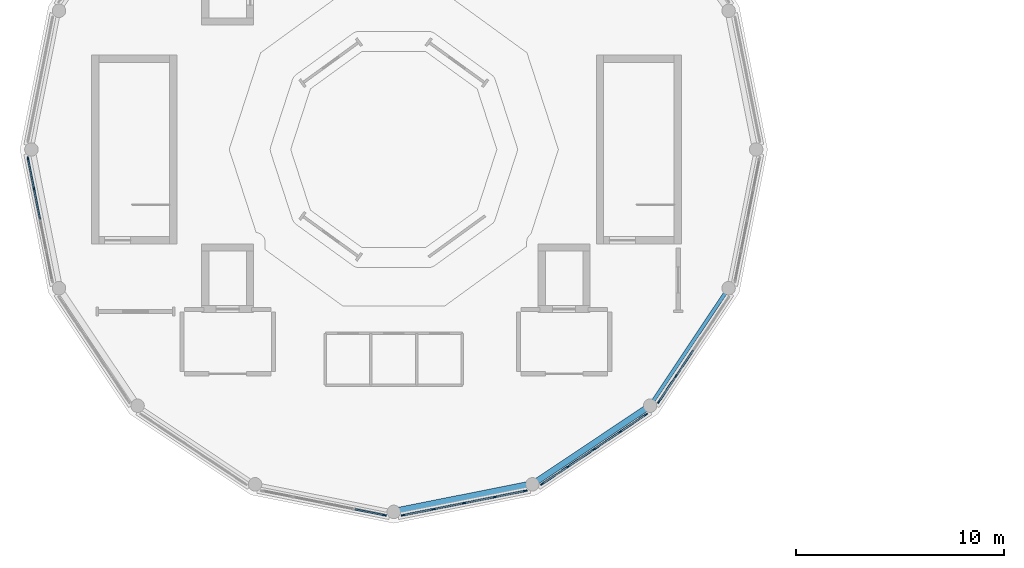
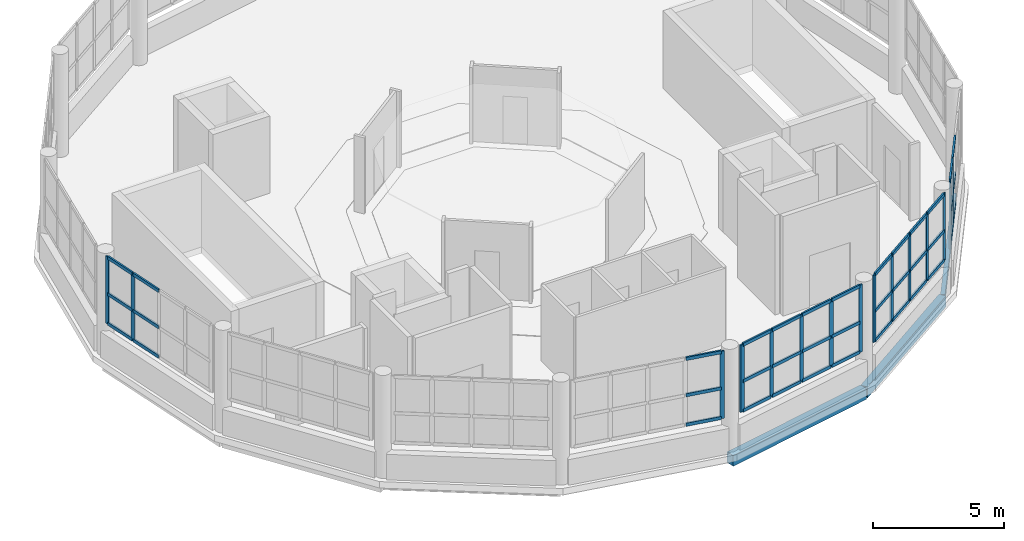
# One storey, part 3 of 12: 54 members, 3 beams, 5 elements without a shape of their own.
"""IFC4 building model written with IfcOpenShell, lengths in metres."""

from ifc_helpers import new_model, si_unit, direction, frame, origin, origin_2d, place, context, subcontext, project, spatial, rectangle, i_section, extrude, material, material_profile, profile_set, type_object, element, aggregate, save


model = new_model("IFC4")

# Units and contexts
model_context = context("Model", 3, precision=1e-05, world=origin(), true_north=direction((0.0, 1.0)))
body_context = subcontext(model_context, "Body", "Model", "MODEL_VIEW")
ifc_project = project(units=[si_unit("LENGTHUNIT", "METRE"), si_unit("AREAUNIT", "SQUARE_METRE"), si_unit("VOLUMEUNIT", "CUBIC_METRE"), si_unit("PLANEANGLEUNIT", "RADIAN"), si_unit("MASSUNIT", "GRAM", prefix="KILO")], contexts=[model_context])

# Site, building, storey
site_placement = place(None, origin())
site = spatial("IfcSite", under=ifc_project, at=site_placement, CompositionType="ELEMENT")
building_placement = place(site_placement, origin())
building = spatial("IfcBuilding", under=site, at=building_placement, Name="Soyqirgoq Riverine Aquarium", CompositionType="ELEMENT")
storey_placement = place(building_placement, frame((0.0, 0.0, 24.60009765625)))
storey = spatial("IfcBuildingStorey", under=building, at=storey_placement, Name="L06", CompositionType="ELEMENT", Elevation=24.60009765625)

# Curtain wall, members
ifc_material_1 = material(Name="Anodised aluminium acoustic solar-control clerestory glazing", Category="aluminium")
curtain_wall_type = type_object("IfcCurtainWallType", Name="CW_Clerestory_Ring", PredefinedType="NOTDEFINED", material=ifc_material_1)
curtain_wall_1_placement = place(storey_placement, origin())
curtain_wall_1 = element("IfcCurtainWall", 1, at=curtain_wall_1_placement, inside=storey, type_object=curtain_wall_type, Name="V1 L06 Curtain Wall 032", PredefinedType="NOTDEFINED")
ifc_material_2 = material(Name="Anodised aluminium 6063-T6", Category="aluminium")
ifc_material_profile_1 = material_profile(ifc_material_2, rectangle(XDim=0.06494140625, YDim=0.179931640625, at=origin_2d()), Name="ALU-M 65x180")
ifc_profile_set_1 = profile_set([ifc_material_profile_1], Name="Anodised aluminium 6063-T6")
member_type_1 = type_object("IfcMemberType", Name="CWMullion_65x180", PredefinedType="MULLION", material=ifc_profile_set_1)
member_1_placement = place(storey_placement, frame((38.38818359375, 56.55615234375, 1.619873046875), z_axis=(0.0, 0.0, 1.0), x_axis=(0.980784299821, 0.19509525167, 0.0)))
member_1 = element("IfcMember", 2, at=member_1_placement, type_object=member_type_1, Name="CW-02 mullion 1", PredefinedType="MULLION", context=body_context, shape_type="SweptSolid", body=[
    extrude(rectangle(XDim=0.06494140625, YDim=0.179931640625, at=origin_2d()), origin(), (0.0, 0.0, 1.0), 3.14013671875),
])
member_2_placement = place(storey_placement, frame((38.677734375, 55.1005859375, 1.619873046875), z_axis=(0.0, 0.0, 1.0), x_axis=(0.980784299821, 0.19509525167, 0.0)))
member_2 = element("IfcMember", 3, at=member_2_placement, type_object=member_type_1, Name="CW-02 mullion 2", PredefinedType="MULLION", context=body_context, shape_type="SweptSolid", body=[
    extrude(rectangle(XDim=0.06494140625, YDim=0.179931640625, at=origin_2d()), origin(), (0.0, 0.0, 1.0), 3.14013671875),
])

# Curtain wall, member
curtain_wall_2_placement = place(storey_placement, origin())
curtain_wall_2 = element("IfcCurtainWall", 4, at=curtain_wall_2_placement, inside=storey, type_object=curtain_wall_type, Name="V1 L06 Curtain Wall 053", PredefinedType="NOTDEFINED")
member_3_placement = place(storey_placement, frame((55.55615234375, 39.38818359375, 1.619873046875), z_axis=(0.0, 0.0, 1.0), x_axis=(0.19509525167, 0.980784299821, 0.0)))
member_3 = element("IfcMember", 5, at=member_3_placement, type_object=member_type_1, Name="CW-02 mullion 5", PredefinedType="MULLION", context=body_context, shape_type="SweptSolid", body=[
    extrude(rectangle(XDim=0.06494140625, YDim=0.179931640625, at=origin_2d()), origin(), (0.0, 0.0, 1.0), 3.14013671875),
])

# Curtain wall, members
curtain_wall_3_placement = place(storey_placement, origin())
curtain_wall_3 = element("IfcCurtainWall", 6, at=curtain_wall_3_placement, inside=storey, type_object=curtain_wall_type, Name="V1 L06 Curtain Wall 060", PredefinedType="NOTDEFINED")
member_4_placement = place(storey_placement, frame((56.44384765625, 39.38818359375, 1.619873046875), z_axis=(0.0, 0.0, 1.0), x_axis=(-0.19509525167, 0.980784299821, 0.0)))
member_4 = element("IfcMember", 7, at=member_4_placement, type_object=member_type_1, Name="CW-02 mullion 1", PredefinedType="MULLION", context=body_context, shape_type="SweptSolid", body=[
    extrude(rectangle(XDim=0.06494140625, YDim=0.179931640625, at=origin_2d()), origin(), (0.0, 0.0, 1.0), 3.14013671875),
])
member_5_placement = place(storey_placement, frame((57.8994140625, 39.677734375, 1.619873046875), z_axis=(0.0, 0.0, 1.0), x_axis=(-0.19509525167, 0.980784299821, 0.0)))
member_5 = element("IfcMember", 8, at=member_5_placement, type_object=member_type_1, Name="CW-02 mullion 2", PredefinedType="MULLION", context=body_context, shape_type="SweptSolid", body=[
    extrude(rectangle(XDim=0.06494140625, YDim=0.179931640625, at=origin_2d()), origin(), (0.0, 0.0, 1.0), 3.14013671875),
])
member_6_placement = place(storey_placement, frame((59.38671875, 39.9736328125, 1.619873046875), z_axis=(0.0, 0.0, 1.0), x_axis=(-0.19509525167, 0.980784299821, 0.0)))
member_6 = element("IfcMember", 9, at=member_6_placement, type_object=member_type_1, Name="CW-02 mullion 3", PredefinedType="MULLION", context=body_context, shape_type="SweptSolid", body=[
    extrude(rectangle(XDim=0.06494140625, YDim=0.179931640625, at=origin_2d()), origin(), (0.0, 0.0, 1.0), 3.14013671875),
])
member_7_placement = place(storey_placement, frame((60.874267578125, 40.26953125, 1.619873046875), z_axis=(0.0, 0.0, 1.0), x_axis=(-0.19509525167, 0.980784299821, 0.0)))
member_7 = element("IfcMember", 10, at=member_7_placement, type_object=member_type_1, Name="CW-02 mullion 4", PredefinedType="MULLION", context=body_context, shape_type="SweptSolid", body=[
    extrude(rectangle(XDim=0.06494140625, YDim=0.179931640625, at=origin_2d()), origin(), (0.0, 0.0, 1.0), 3.14013671875),
])
member_8_placement = place(storey_placement, frame((62.329833984375, 40.55908203125, 1.619873046875), z_axis=(0.0, 0.0, 1.0), x_axis=(-0.19509525167, 0.980784299821, 0.0)))
member_8 = element("IfcMember", 11, at=member_8_placement, type_object=member_type_1, Name="CW-02 mullion 5", PredefinedType="MULLION", context=body_context, shape_type="SweptSolid", body=[
    extrude(rectangle(XDim=0.06494140625, YDim=0.179931640625, at=origin_2d()), origin(), (0.0, 0.0, 1.0), 3.14013671875),
])

curtain_wall_4_placement = place(storey_placement, origin())
curtain_wall_4 = element("IfcCurtainWall", 12, at=curtain_wall_4_placement, inside=storey, type_object=curtain_wall_type, Name="V1 L06 Curtain Wall 065", PredefinedType="NOTDEFINED")
member_9_placement = place(storey_placement, frame((63.149658203125, 40.898681640625, 1.619873046875), z_axis=(0.0, 0.0, 1.0), x_axis=(-0.555578639957, 0.831463994905, 0.0)))
member_9 = element("IfcMember", 13, at=member_9_placement, type_object=member_type_1, Name="CW-02 mullion 1", PredefinedType="MULLION", context=body_context, shape_type="SweptSolid", body=[
    extrude(rectangle(XDim=0.06494140625, YDim=0.179931640625, at=origin_2d()), origin(), (0.0, 0.0, 1.0), 3.14013671875),
])
member_10_placement = place(storey_placement, frame((64.3837890625, 41.72314453125, 1.619873046875), z_axis=(0.0, 0.0, 1.0), x_axis=(-0.555578639957, 0.831463994905, 0.0)))
member_10 = element("IfcMember", 14, at=member_10_placement, type_object=member_type_1, Name="CW-02 mullion 2", PredefinedType="MULLION", context=body_context, shape_type="SweptSolid", body=[
    extrude(rectangle(XDim=0.06494140625, YDim=0.179931640625, at=origin_2d()), origin(), (0.0, 0.0, 1.0), 3.14013671875),
])
member_11_placement = place(storey_placement, frame((65.64453125, 42.565673828125, 1.619873046875), z_axis=(0.0, 0.0, 1.0), x_axis=(-0.555578639957, 0.831463994905, 0.0)))
member_11 = element("IfcMember", 15, at=member_11_placement, type_object=member_type_1, Name="CW-02 mullion 3", PredefinedType="MULLION", context=body_context, shape_type="SweptSolid", body=[
    extrude(rectangle(XDim=0.06494140625, YDim=0.179931640625, at=origin_2d()), origin(), (0.0, 0.0, 1.0), 3.14013671875),
])
member_12_placement = place(storey_placement, frame((66.905517578125, 43.408203125, 1.619873046875), z_axis=(0.0, 0.0, 1.0), x_axis=(-0.555578639957, 0.831463994905, 0.0)))
member_12 = element("IfcMember", 16, at=member_12_placement, type_object=member_type_1, Name="CW-02 mullion 4", PredefinedType="MULLION", context=body_context, shape_type="SweptSolid", body=[
    extrude(rectangle(XDim=0.06494140625, YDim=0.179931640625, at=origin_2d()), origin(), (0.0, 0.0, 1.0), 3.14013671875),
])
member_13_placement = place(storey_placement, frame((68.1396484375, 44.23291015625, 1.619873046875), z_axis=(0.0, 0.0, 1.0), x_axis=(-0.555578639957, 0.831463994905, 0.0)))
member_13 = element("IfcMember", 17, at=member_13_placement, type_object=member_type_1, Name="CW-02 mullion 5", PredefinedType="MULLION", context=body_context, shape_type="SweptSolid", body=[
    extrude(rectangle(XDim=0.06494140625, YDim=0.179931640625, at=origin_2d()), origin(), (0.0, 0.0, 1.0), 3.14013671875),
])

curtain_wall_5_placement = place(storey_placement, origin())
curtain_wall_5 = element("IfcCurtainWall", 18, at=curtain_wall_5_placement, inside=storey, type_object=curtain_wall_type, Name="V1 L06 Curtain Wall 070", PredefinedType="NOTDEFINED")
member_14_placement = place(storey_placement, frame((68.76708984375, 44.8603515625, 1.619873046875), z_axis=(0.0, 0.0, 1.0), x_axis=(-0.831463994905, 0.555578639957, 0.0)))
member_14 = element("IfcMember", 19, at=member_14_placement, type_object=member_type_1, Name="CW-02 mullion 1", PredefinedType="MULLION", context=body_context, shape_type="SweptSolid", body=[
    extrude(rectangle(XDim=0.06494140625, YDim=0.179931640625, at=origin_2d()), origin(), (0.0, 0.0, 1.0), 3.14013671875),
])
member_15_placement = place(storey_placement, frame((69.591796875, 46.094482421875, 1.619873046875), z_axis=(0.0, 0.0, 1.0), x_axis=(-0.831463994905, 0.555578639957, 0.0)))
member_15 = element("IfcMember", 20, at=member_15_placement, type_object=member_type_1, Name="CW-02 mullion 2", PredefinedType="MULLION", context=body_context, shape_type="SweptSolid", body=[
    extrude(rectangle(XDim=0.06494140625, YDim=0.179931640625, at=origin_2d()), origin(), (0.0, 0.0, 1.0), 3.14013671875),
])

# Member
ifc_material_3 = material(Name="Anodised aluminium 6063-T6", Category="aluminium")
ifc_material_profile_2 = material_profile(ifc_material_3, rectangle(XDim=0.074951171875, YDim=0.14990234375, at=origin_2d()), Name="ALU-T 75x150")
ifc_profile_set_2 = profile_set([ifc_material_profile_2], Name="Anodised aluminium 6063-T6")
member_type_2 = type_object("IfcMemberType", Name="CWTransom_75x150", PredefinedType="USERDEFINED", material=ifc_profile_set_2)
member_16_placement = place(storey_placement, frame((38.39453125, 56.5244140625, 1.657470703125), z_axis=(0.195090420246, -0.980785260864, 0.0), x_axis=(0.980785260864, 0.195090420246, 0.0)))
member_16 = element("IfcMember", 21, at=member_16_placement, type_object=member_type_2, Name="CW-02 transom 1.1", ObjectType="TRANSOM", PredefinedType="USERDEFINED", context=body_context, shape_type="SweptSolid", body=[
    extrude(rectangle(XDim=0.074951171875, YDim=0.14990234375, at=origin_2d()), origin(), (0.0, 0.0, 1.0), 1.419189453125),
])

member_17_placement = place(storey_placement, frame((38.39453125, 56.5244140625, 3.032958984375), z_axis=(0.195090420246, -0.980785260864, 0.0), x_axis=(0.980785260864, 0.195090420246, 0.0)))
member_17 = element("IfcMember", 22, at=member_17_placement, type_object=member_type_2, Name="CW-02 transom 1.2", ObjectType="TRANSOM", PredefinedType="USERDEFINED", context=body_context, shape_type="SweptSolid", body=[
    extrude(rectangle(XDim=0.074951171875, YDim=0.14990234375, at=origin_2d()), origin(), (0.0, 0.0, 1.0), 1.419189453125),
])

member_18_placement = place(storey_placement, frame((38.39453125, 56.5244140625, 4.722412109375), z_axis=(0.195090420246, -0.980785260864, 0.0), x_axis=(0.980785260864, 0.195090420246, 0.0)))
member_18 = element("IfcMember", 23, at=member_18_placement, type_object=member_type_2, Name="CW-02 transom 1.3", ObjectType="TRANSOM", PredefinedType="USERDEFINED", context=body_context, shape_type="SweptSolid", body=[
    extrude(rectangle(XDim=0.074951171875, YDim=0.14990234375, at=origin_2d()), origin(), (0.0, 0.0, 1.0), 1.419189453125),
])

member_19_placement = place(storey_placement, frame((38.68408203125, 55.06884765625, 1.657470703125), z_axis=(0.195081112847, -0.980787112176, 0.0), x_axis=(0.980787112176, 0.195081112847, 0.0)))
member_19 = element("IfcMember", 24, at=member_19_placement, type_object=member_type_2, Name="CW-02 transom 2.1", ObjectType="TRANSOM", PredefinedType="USERDEFINED", context=body_context, shape_type="SweptSolid", body=[
    extrude(rectangle(XDim=0.074951171875, YDim=0.14990234375, at=origin_2d()), origin(), (0.0, 0.0, 1.0), 1.45166015625),
])

member_20_placement = place(storey_placement, frame((38.68408203125, 55.06884765625, 3.032958984375), z_axis=(0.195081112847, -0.980787112176, 0.0), x_axis=(0.980787112176, 0.195081112847, 0.0)))
member_20 = element("IfcMember", 25, at=member_20_placement, type_object=member_type_2, Name="CW-02 transom 2.2", ObjectType="TRANSOM", PredefinedType="USERDEFINED", context=body_context, shape_type="SweptSolid", body=[
    extrude(rectangle(XDim=0.074951171875, YDim=0.14990234375, at=origin_2d()), origin(), (0.0, 0.0, 1.0), 1.45166015625),
])

member_21_placement = place(storey_placement, frame((38.68408203125, 55.06884765625, 4.722412109375), z_axis=(0.195081112847, -0.980787112176, 0.0), x_axis=(0.980787112176, 0.195081112847, 0.0)))
member_21 = element("IfcMember", 26, at=member_21_placement, type_object=member_type_2, Name="CW-02 transom 2.3", ObjectType="TRANSOM", PredefinedType="USERDEFINED", context=body_context, shape_type="SweptSolid", body=[
    extrude(rectangle(XDim=0.074951171875, YDim=0.14990234375, at=origin_2d()), origin(), (0.0, 0.0, 1.0), 1.45166015625),
])

aggregate(curtain_wall_1, [member_1, member_2, member_16, member_17, member_18, member_19, member_20, member_21])

member_22_placement = place(storey_placement, frame((54.132568359375, 39.67138671875, 1.657470703125), z_axis=(0.980785260864, -0.195090420246, 0.0), x_axis=(0.195090420246, 0.980785260864, 0.0)))
member_22 = element("IfcMember", 27, at=member_22_placement, type_object=member_type_2, Name="CW-02 transom 4.1", ObjectType="TRANSOM", PredefinedType="USERDEFINED", context=body_context, shape_type="SweptSolid", body=[
    extrude(rectangle(XDim=0.074951171875, YDim=0.14990234375, at=origin_2d()), origin(), (0.0, 0.0, 1.0), 1.419189453125),
])

member_23_placement = place(storey_placement, frame((54.132568359375, 39.67138671875, 3.032958984375), z_axis=(0.980785260864, -0.195090420246, 0.0), x_axis=(0.195090420246, 0.980785260864, 0.0)))
member_23 = element("IfcMember", 28, at=member_23_placement, type_object=member_type_2, Name="CW-02 transom 4.2", ObjectType="TRANSOM", PredefinedType="USERDEFINED", context=body_context, shape_type="SweptSolid", body=[
    extrude(rectangle(XDim=0.074951171875, YDim=0.14990234375, at=origin_2d()), origin(), (0.0, 0.0, 1.0), 1.419189453125),
])

member_24_placement = place(storey_placement, frame((54.132568359375, 39.67138671875, 4.722412109375), z_axis=(0.980785260864, -0.195090420246, 0.0), x_axis=(0.195090420246, 0.980785260864, 0.0)))
member_24 = element("IfcMember", 29, at=member_24_placement, type_object=member_type_2, Name="CW-02 transom 4.3", ObjectType="TRANSOM", PredefinedType="USERDEFINED", context=body_context, shape_type="SweptSolid", body=[
    extrude(rectangle(XDim=0.074951171875, YDim=0.14990234375, at=origin_2d()), origin(), (0.0, 0.0, 1.0), 1.419189453125),
])

aggregate(curtain_wall_2, [member_3, member_22, member_23, member_24])

member_25_placement = place(storey_placement, frame((56.4755859375, 39.39453125, 1.657470703125), z_axis=(0.980785260864, 0.195090420246, 0.0), x_axis=(-0.195090420246, 0.980785260864, 0.0)))
member_25 = element("IfcMember", 30, at=member_25_placement, type_object=member_type_2, Name="CW-02 transom 1.1", ObjectType="TRANSOM", PredefinedType="USERDEFINED", context=body_context, shape_type="SweptSolid", body=[
    extrude(rectangle(XDim=0.074951171875, YDim=0.14990234375, at=origin_2d()), origin(), (0.0, 0.0, 1.0), 1.419189453125),
])

member_26_placement = place(storey_placement, frame((56.4755859375, 39.39453125, 3.032958984375), z_axis=(0.980785260864, 0.195090420246, 0.0), x_axis=(-0.195090420246, 0.980785260864, 0.0)))
member_26 = element("IfcMember", 31, at=member_26_placement, type_object=member_type_2, Name="CW-02 transom 1.2", ObjectType="TRANSOM", PredefinedType="USERDEFINED", context=body_context, shape_type="SweptSolid", body=[
    extrude(rectangle(XDim=0.074951171875, YDim=0.14990234375, at=origin_2d()), origin(), (0.0, 0.0, 1.0), 1.419189453125),
])

member_27_placement = place(storey_placement, frame((56.4755859375, 39.39453125, 4.722412109375), z_axis=(0.980785260864, 0.195090420246, 0.0), x_axis=(-0.195090420246, 0.980785260864, 0.0)))
member_27 = element("IfcMember", 32, at=member_27_placement, type_object=member_type_2, Name="CW-02 transom 1.3", ObjectType="TRANSOM", PredefinedType="USERDEFINED", context=body_context, shape_type="SweptSolid", body=[
    extrude(rectangle(XDim=0.074951171875, YDim=0.14990234375, at=origin_2d()), origin(), (0.0, 0.0, 1.0), 1.419189453125),
])

member_28_placement = place(storey_placement, frame((57.93115234375, 39.68408203125, 1.657470703125), z_axis=(0.980787112176, 0.195081112847, 0.0), x_axis=(-0.195081112847, 0.980787112176, 0.0)))
member_28 = element("IfcMember", 33, at=member_28_placement, type_object=member_type_2, Name="CW-02 transom 2.1", ObjectType="TRANSOM", PredefinedType="USERDEFINED", context=body_context, shape_type="SweptSolid", body=[
    extrude(rectangle(XDim=0.074951171875, YDim=0.14990234375, at=origin_2d()), origin(), (0.0, 0.0, 1.0), 1.45166015625),
])

member_29_placement = place(storey_placement, frame((57.93115234375, 39.68408203125, 3.032958984375), z_axis=(0.980787112176, 0.195081112847, 0.0), x_axis=(-0.195081112847, 0.980787112176, 0.0)))
member_29 = element("IfcMember", 34, at=member_29_placement, type_object=member_type_2, Name="CW-02 transom 2.2", ObjectType="TRANSOM", PredefinedType="USERDEFINED", context=body_context, shape_type="SweptSolid", body=[
    extrude(rectangle(XDim=0.074951171875, YDim=0.14990234375, at=origin_2d()), origin(), (0.0, 0.0, 1.0), 1.45166015625),
])

member_30_placement = place(storey_placement, frame((57.93115234375, 39.68408203125, 4.722412109375), z_axis=(0.980787112176, 0.195081112847, 0.0), x_axis=(-0.195081112847, 0.980787112176, 0.0)))
member_30 = element("IfcMember", 35, at=member_30_placement, type_object=member_type_2, Name="CW-02 transom 2.3", ObjectType="TRANSOM", PredefinedType="USERDEFINED", context=body_context, shape_type="SweptSolid", body=[
    extrude(rectangle(XDim=0.074951171875, YDim=0.14990234375, at=origin_2d()), origin(), (0.0, 0.0, 1.0), 1.45166015625),
])

member_31_placement = place(storey_placement, frame((59.418701171875, 39.97998046875, 1.657470703125), z_axis=(0.980780710478, 0.195113295173, 0.0), x_axis=(-0.195113295173, 0.980780710478, 0.0)))
member_31 = element("IfcMember", 36, at=member_31_placement, type_object=member_type_2, Name="CW-02 transom 3.1", ObjectType="TRANSOM", PredefinedType="USERDEFINED", context=body_context, shape_type="SweptSolid", body=[
    extrude(rectangle(XDim=0.074951171875, YDim=0.14990234375, at=origin_2d()), origin(), (0.0, 0.0, 1.0), 1.451416015625),
])

member_32_placement = place(storey_placement, frame((59.418701171875, 39.97998046875, 3.032958984375), z_axis=(0.980780710478, 0.195113295173, 0.0), x_axis=(-0.195113295173, 0.980780710478, 0.0)))
member_32 = element("IfcMember", 37, at=member_32_placement, type_object=member_type_2, Name="CW-02 transom 3.2", ObjectType="TRANSOM", PredefinedType="USERDEFINED", context=body_context, shape_type="SweptSolid", body=[
    extrude(rectangle(XDim=0.074951171875, YDim=0.14990234375, at=origin_2d()), origin(), (0.0, 0.0, 1.0), 1.451416015625),
])

member_33_placement = place(storey_placement, frame((59.418701171875, 39.97998046875, 4.722412109375), z_axis=(0.980780710478, 0.195113295173, 0.0), x_axis=(-0.195113295173, 0.980780710478, 0.0)))
member_33 = element("IfcMember", 38, at=member_33_placement, type_object=member_type_2, Name="CW-02 transom 3.3", ObjectType="TRANSOM", PredefinedType="USERDEFINED", context=body_context, shape_type="SweptSolid", body=[
    extrude(rectangle(XDim=0.074951171875, YDim=0.14990234375, at=origin_2d()), origin(), (0.0, 0.0, 1.0), 1.451416015625),
])

member_34_placement = place(storey_placement, frame((60.906005859375, 40.27587890625, 1.657470703125), z_axis=(0.980785260864, 0.195090420246, 0.0), x_axis=(-0.195090420246, 0.980785260864, 0.0)))
member_34 = element("IfcMember", 39, at=member_34_placement, type_object=member_type_2, Name="CW-02 transom 4.1", ObjectType="TRANSOM", PredefinedType="USERDEFINED", context=body_context, shape_type="SweptSolid", body=[
    extrude(rectangle(XDim=0.074951171875, YDim=0.14990234375, at=origin_2d()), origin(), (0.0, 0.0, 1.0), 1.419189453125),
])

member_35_placement = place(storey_placement, frame((60.906005859375, 40.27587890625, 3.032958984375), z_axis=(0.980785260864, 0.195090420246, 0.0), x_axis=(-0.195090420246, 0.980785260864, 0.0)))
member_35 = element("IfcMember", 40, at=member_35_placement, type_object=member_type_2, Name="CW-02 transom 4.2", ObjectType="TRANSOM", PredefinedType="USERDEFINED", context=body_context, shape_type="SweptSolid", body=[
    extrude(rectangle(XDim=0.074951171875, YDim=0.14990234375, at=origin_2d()), origin(), (0.0, 0.0, 1.0), 1.419189453125),
])

member_36_placement = place(storey_placement, frame((60.906005859375, 40.27587890625, 4.722412109375), z_axis=(0.980785260864, 0.195090420246, 0.0), x_axis=(-0.195090420246, 0.980785260864, 0.0)))
member_36 = element("IfcMember", 41, at=member_36_placement, type_object=member_type_2, Name="CW-02 transom 4.3", ObjectType="TRANSOM", PredefinedType="USERDEFINED", context=body_context, shape_type="SweptSolid", body=[
    extrude(rectangle(XDim=0.074951171875, YDim=0.14990234375, at=origin_2d()), origin(), (0.0, 0.0, 1.0), 1.419189453125),
])

aggregate(curtain_wall_3, [member_4, member_5, member_6, member_7, member_8, member_25, member_26, member_27, member_28, member_29, member_30, member_31, member_32, member_33, member_34, member_35, member_36])

member_37_placement = place(storey_placement, frame((63.1767578125, 40.916748046875, 1.657470703125), z_axis=(0.831494038542, 0.55553367483, 0.0), x_axis=(-0.55553367483, 0.831494038542, 0.0)))
member_37 = element("IfcMember", 42, at=member_37_placement, type_object=member_type_2, Name="CW-02 transom 1.1", ObjectType="TRANSOM", PredefinedType="USERDEFINED", context=body_context, shape_type="SweptSolid", body=[
    extrude(rectangle(XDim=0.074951171875, YDim=0.14990234375, at=origin_2d()), origin(), (0.0, 0.0, 1.0), 1.4189453125),
])

member_38_placement = place(storey_placement, frame((63.1767578125, 40.916748046875, 3.032958984375), z_axis=(0.831494038542, 0.55553367483, 0.0), x_axis=(-0.55553367483, 0.831494038542, 0.0)))
member_38 = element("IfcMember", 43, at=member_38_placement, type_object=member_type_2, Name="CW-02 transom 1.2", ObjectType="TRANSOM", PredefinedType="USERDEFINED", context=body_context, shape_type="SweptSolid", body=[
    extrude(rectangle(XDim=0.074951171875, YDim=0.14990234375, at=origin_2d()), origin(), (0.0, 0.0, 1.0), 1.4189453125),
])

member_39_placement = place(storey_placement, frame((63.1767578125, 40.916748046875, 4.722412109375), z_axis=(0.831494038542, 0.55553367483, 0.0), x_axis=(-0.55553367483, 0.831494038542, 0.0)))
member_39 = element("IfcMember", 44, at=member_39_placement, type_object=member_type_2, Name="CW-02 transom 1.3", ObjectType="TRANSOM", PredefinedType="USERDEFINED", context=body_context, shape_type="SweptSolid", body=[
    extrude(rectangle(XDim=0.074951171875, YDim=0.14990234375, at=origin_2d()), origin(), (0.0, 0.0, 1.0), 1.4189453125),
])

member_40_placement = place(storey_placement, frame((64.41064453125, 41.7412109375, 1.657470703125), z_axis=(0.831506528289, 0.555514980368, 0.0), x_axis=(-0.555514980368, 0.831506528289, 0.0)))
member_40 = element("IfcMember", 45, at=member_40_placement, type_object=member_type_2, Name="CW-02 transom 2.1", ObjectType="TRANSOM", PredefinedType="USERDEFINED", context=body_context, shape_type="SweptSolid", body=[
    extrude(rectangle(XDim=0.074951171875, YDim=0.14990234375, at=origin_2d()), origin(), (0.0, 0.0, 1.0), 1.45166015625),
])

member_41_placement = place(storey_placement, frame((64.41064453125, 41.7412109375, 3.032958984375), z_axis=(0.831506528289, 0.555514980368, 0.0), x_axis=(-0.555514980368, 0.831506528289, 0.0)))
member_41 = element("IfcMember", 46, at=member_41_placement, type_object=member_type_2, Name="CW-02 transom 2.2", ObjectType="TRANSOM", PredefinedType="USERDEFINED", context=body_context, shape_type="SweptSolid", body=[
    extrude(rectangle(XDim=0.074951171875, YDim=0.14990234375, at=origin_2d()), origin(), (0.0, 0.0, 1.0), 1.45166015625),
])

member_42_placement = place(storey_placement, frame((64.41064453125, 41.7412109375, 4.722412109375), z_axis=(0.831506528289, 0.555514980368, 0.0), x_axis=(-0.555514980368, 0.831506528289, 0.0)))
member_42 = element("IfcMember", 47, at=member_42_placement, type_object=member_type_2, Name="CW-02 transom 2.3", ObjectType="TRANSOM", PredefinedType="USERDEFINED", context=body_context, shape_type="SweptSolid", body=[
    extrude(rectangle(XDim=0.074951171875, YDim=0.14990234375, at=origin_2d()), origin(), (0.0, 0.0, 1.0), 1.45166015625),
])

member_43_placement = place(storey_placement, frame((65.671630859375, 42.583740234375, 1.657470703125), z_axis=(0.831428840366, 0.555631247688, 0.0), x_axis=(-0.555631247688, 0.831428840366, 0.0)))
member_43 = element("IfcMember", 48, at=member_43_placement, type_object=member_type_2, Name="CW-02 transom 3.1", ObjectType="TRANSOM", PredefinedType="USERDEFINED", context=body_context, shape_type="SweptSolid", body=[
    extrude(rectangle(XDim=0.074951171875, YDim=0.14990234375, at=origin_2d()), origin(), (0.0, 0.0, 1.0), 1.45166015625),
])

member_44_placement = place(storey_placement, frame((65.671630859375, 42.583740234375, 3.032958984375), z_axis=(0.831428840366, 0.555631247688, 0.0), x_axis=(-0.555631247688, 0.831428840366, 0.0)))
member_44 = element("IfcMember", 49, at=member_44_placement, type_object=member_type_2, Name="CW-02 transom 3.2", ObjectType="TRANSOM", PredefinedType="USERDEFINED", context=body_context, shape_type="SweptSolid", body=[
    extrude(rectangle(XDim=0.074951171875, YDim=0.14990234375, at=origin_2d()), origin(), (0.0, 0.0, 1.0), 1.45166015625),
])

member_45_placement = place(storey_placement, frame((65.671630859375, 42.583740234375, 4.722412109375), z_axis=(0.831428840366, 0.555631247688, 0.0), x_axis=(-0.555631247688, 0.831428840366, 0.0)))
member_45 = element("IfcMember", 50, at=member_45_placement, type_object=member_type_2, Name="CW-02 transom 3.3", ObjectType="TRANSOM", PredefinedType="USERDEFINED", context=body_context, shape_type="SweptSolid", body=[
    extrude(rectangle(XDim=0.074951171875, YDim=0.14990234375, at=origin_2d()), origin(), (0.0, 0.0, 1.0), 1.45166015625),
])

member_46_placement = place(storey_placement, frame((66.9326171875, 43.42626953125, 1.657470703125), z_axis=(0.831414566046, 0.555652606731, 0.0), x_axis=(-0.555652606731, 0.831414566046, 0.0)))
member_46 = element("IfcMember", 51, at=member_46_placement, type_object=member_type_2, Name="CW-02 transom 4.1", ObjectType="TRANSOM", PredefinedType="USERDEFINED", context=body_context, shape_type="SweptSolid", body=[
    extrude(rectangle(XDim=0.074951171875, YDim=0.14990234375, at=origin_2d()), origin(), (0.0, 0.0, 1.0), 1.419189453125),
])

member_47_placement = place(storey_placement, frame((66.9326171875, 43.42626953125, 3.032958984375), z_axis=(0.831414566046, 0.555652606731, 0.0), x_axis=(-0.555652606731, 0.831414566046, 0.0)))
member_47 = element("IfcMember", 52, at=member_47_placement, type_object=member_type_2, Name="CW-02 transom 4.2", ObjectType="TRANSOM", PredefinedType="USERDEFINED", context=body_context, shape_type="SweptSolid", body=[
    extrude(rectangle(XDim=0.074951171875, YDim=0.14990234375, at=origin_2d()), origin(), (0.0, 0.0, 1.0), 1.419189453125),
])

member_48_placement = place(storey_placement, frame((66.9326171875, 43.42626953125, 4.722412109375), z_axis=(0.831414566046, 0.555652606731, 0.0), x_axis=(-0.555652606731, 0.831414566046, 0.0)))
member_48 = element("IfcMember", 53, at=member_48_placement, type_object=member_type_2, Name="CW-02 transom 4.3", ObjectType="TRANSOM", PredefinedType="USERDEFINED", context=body_context, shape_type="SweptSolid", body=[
    extrude(rectangle(XDim=0.074951171875, YDim=0.14990234375, at=origin_2d()), origin(), (0.0, 0.0, 1.0), 1.419189453125),
])

aggregate(curtain_wall_4, [member_9, member_10, member_11, member_12, member_13, member_37, member_38, member_39, member_40, member_41, member_42, member_43, member_44, member_45, member_46, member_47, member_48])

member_49_placement = place(storey_placement, frame((68.78515625, 44.887451171875, 1.657470703125), z_axis=(0.555652606731, 0.831414566046, 0.0), x_axis=(-0.831414566046, 0.555652606731, 0.0)))
member_49 = element("IfcMember", 54, at=member_49_placement, type_object=member_type_2, Name="CW-02 transom 1.1", ObjectType="TRANSOM", PredefinedType="USERDEFINED", context=body_context, shape_type="SweptSolid", body=[
    extrude(rectangle(XDim=0.074951171875, YDim=0.14990234375, at=origin_2d()), origin(), (0.0, 0.0, 1.0), 1.419189453125),
])

member_50_placement = place(storey_placement, frame((68.78515625, 44.887451171875, 3.032958984375), z_axis=(0.555652606731, 0.831414566046, 0.0), x_axis=(-0.831414566046, 0.555652606731, 0.0)))
member_50 = element("IfcMember", 55, at=member_50_placement, type_object=member_type_2, Name="CW-02 transom 1.2", ObjectType="TRANSOM", PredefinedType="USERDEFINED", context=body_context, shape_type="SweptSolid", body=[
    extrude(rectangle(XDim=0.074951171875, YDim=0.14990234375, at=origin_2d()), origin(), (0.0, 0.0, 1.0), 1.419189453125),
])

member_51_placement = place(storey_placement, frame((68.78515625, 44.887451171875, 4.722412109375), z_axis=(0.555652606731, 0.831414566046, 0.0), x_axis=(-0.831414566046, 0.555652606731, 0.0)))
member_51 = element("IfcMember", 56, at=member_51_placement, type_object=member_type_2, Name="CW-02 transom 1.3", ObjectType="TRANSOM", PredefinedType="USERDEFINED", context=body_context, shape_type="SweptSolid", body=[
    extrude(rectangle(XDim=0.074951171875, YDim=0.14990234375, at=origin_2d()), origin(), (0.0, 0.0, 1.0), 1.419189453125),
])

member_52_placement = place(storey_placement, frame((69.609619140625, 46.121337890625, 1.657470703125), z_axis=(0.555631247688, 0.831428840366, 0.0), x_axis=(-0.831428840366, 0.555631247688, 0.0)))
member_52 = element("IfcMember", 57, at=member_52_placement, type_object=member_type_2, Name="CW-02 transom 2.1", ObjectType="TRANSOM", PredefinedType="USERDEFINED", context=body_context, shape_type="SweptSolid", body=[
    extrude(rectangle(XDim=0.074951171875, YDim=0.14990234375, at=origin_2d()), origin(), (0.0, 0.0, 1.0), 1.45166015625),
])

member_53_placement = place(storey_placement, frame((69.609619140625, 46.121337890625, 3.032958984375), z_axis=(0.555631247688, 0.831428840366, 0.0), x_axis=(-0.831428840366, 0.555631247688, 0.0)))
member_53 = element("IfcMember", 58, at=member_53_placement, type_object=member_type_2, Name="CW-02 transom 2.2", ObjectType="TRANSOM", PredefinedType="USERDEFINED", context=body_context, shape_type="SweptSolid", body=[
    extrude(rectangle(XDim=0.074951171875, YDim=0.14990234375, at=origin_2d()), origin(), (0.0, 0.0, 1.0), 1.45166015625),
])

member_54_placement = place(storey_placement, frame((69.609619140625, 46.121337890625, 4.722412109375), z_axis=(0.555631247688, 0.831428840366, 0.0), x_axis=(-0.831428840366, 0.555631247688, 0.0)))
member_54 = element("IfcMember", 59, at=member_54_placement, type_object=member_type_2, Name="CW-02 transom 2.3", ObjectType="TRANSOM", PredefinedType="USERDEFINED", context=body_context, shape_type="SweptSolid", body=[
    extrude(rectangle(XDim=0.074951171875, YDim=0.14990234375, at=origin_2d()), origin(), (0.0, 0.0, 1.0), 1.45166015625),
])

aggregate(curtain_wall_5, [member_14, member_15, member_49, member_50, member_51, member_52, member_53, member_54])

# Beams
ifc_material_4 = material(Name="Concrete C40/50", Category="concrete")
ifc_material_profile_3 = material_profile(ifc_material_4, rectangle(XDim=0.300048828125, YDim=0.5, at=origin_2d()), Name="RC 300x500")
ifc_profile_set_3 = profile_set([ifc_material_profile_3], Name="Concrete C40/50")
beam_type_1 = type_object("IfcBeamType", Name="Spandrel_RC_300x500", PredefinedType="SPANDREL", material=ifc_profile_set_3)
beam_1_placement = place(storey_placement, frame((62.6943359375, 40.889404296875, -0.550048828125), z_axis=(0.83147831173, 0.555557213186, 0.0), x_axis=(-0.555557213186, 0.83147831173, 0.0)))
element("IfcBeam", 60, at=beam_1_placement, inside=storey, type_object=beam_type_1, Name="V1 L06 Drum Spandrel Beam 0151", PredefinedType="SPANDREL", context=body_context, shape_type="SweptSolid", body=[
    extrude(rectangle(XDim=0.300048828125, YDim=0.5, at=origin_2d()), origin(), (0.0, 0.0, 1.0), 6.768798828125),
])
ifc_material_5 = material(Name="Concrete C40/50", Category="concrete")
ifc_material_profile_4 = material_profile(ifc_material_5, rectangle(XDim=0.35009765625, YDim=0.5, at=origin_2d()), Name="RC 350x500")
ifc_profile_set_4 = profile_set([ifc_material_profile_4], Name="Concrete C40/50")
beam_type_2 = type_object("IfcBeamType", Name="Spandrel_RC_350x500", PredefinedType="SPANDREL", material=ifc_profile_set_4)
beam_2_placement = place(storey_placement, frame((56.01953125, 39.553955078125, -0.550048828125), z_axis=(0.980784073274, 0.195096390568, 0.0), x_axis=(-0.195096390568, 0.980784073274, 0.0)))
element("IfcBeam", 61, at=beam_2_placement, inside=storey, type_object=beam_type_2, Name="V1 L06 Drum Spandrel Beam 0150", PredefinedType="SPANDREL", context=body_context, shape_type="SweptSolid", body=[
    extrude(rectangle(XDim=0.35009765625, YDim=0.5, at=origin_2d()), origin(), (0.0, 0.0, 1.0), 6.768798828125),
])
ifc_material_6 = material(Name="Structural steel S355", Category="steel")
ifc_material_profile_5 = material_profile(ifc_material_6, i_section(OverallWidth=0.179931640625, OverallDepth=0.39990234375, WebThickness=0.008544921875, FlangeThickness=0.013427734375, FilletRadius=0.02099609375, at=origin_2d()), Name="IPE 400")
ifc_profile_set_5 = profile_set([ifc_material_profile_5], Name="Structural steel S355")
beam_type_3 = type_object("IfcBeamType", Name="Spandrel_Steel_IPE400", PredefinedType="SPANDREL", material=ifc_profile_set_5)
beam_3_placement = place(storey_placement, frame((68.35009765625, 44.677490234375, -0.5), z_axis=(0.555557213186, 0.83147831173, 0.0), x_axis=(-0.83147831173, 0.555557213186, 0.0)))
element("IfcBeam", 62, at=beam_3_placement, inside=storey, type_object=beam_type_3, Name="V1 L06 Drum Spandrel Beam 0152", PredefinedType="SPANDREL", context=body_context, shape_type="SweptSolid", body=[
    extrude(i_section(OverallWidth=0.179931640625, OverallDepth=0.39990234375, WebThickness=0.008544921875, FlangeThickness=0.013427734375, FilletRadius=0.02099609375, at=origin_2d()), origin(), (0.0, 0.0, 1.0), 6.768798828125),
])

save(model, "model.ifc")
